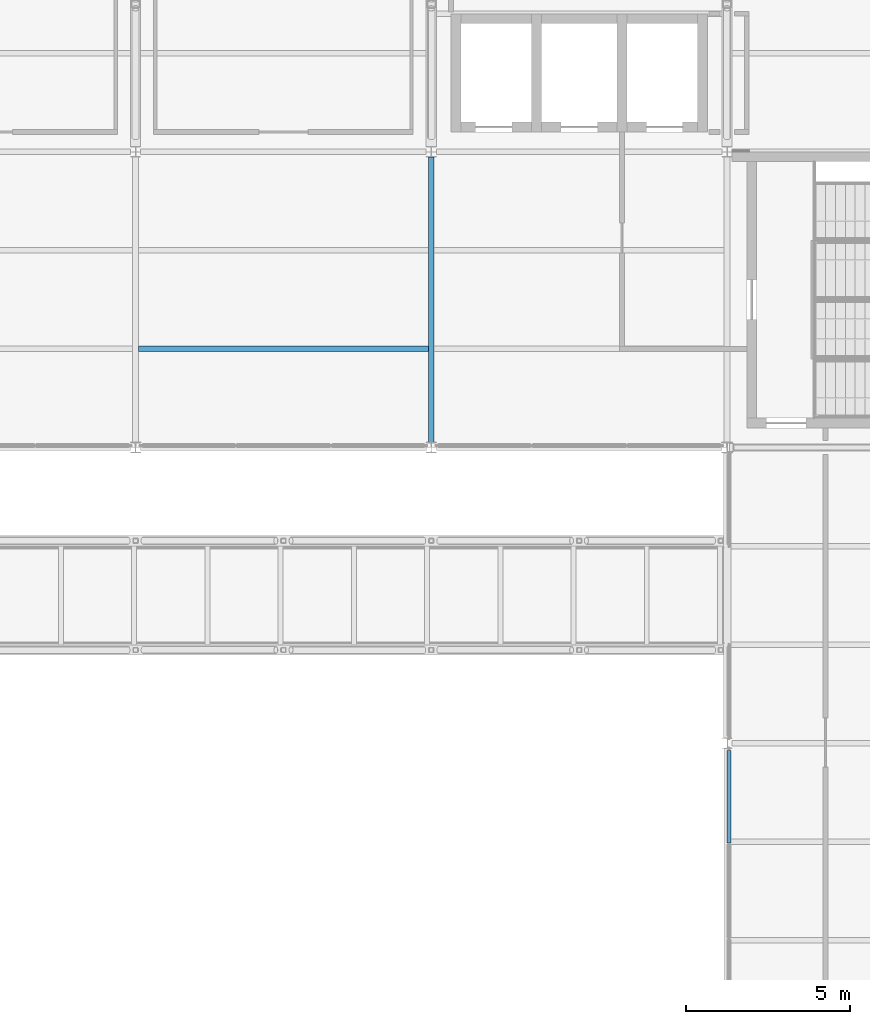
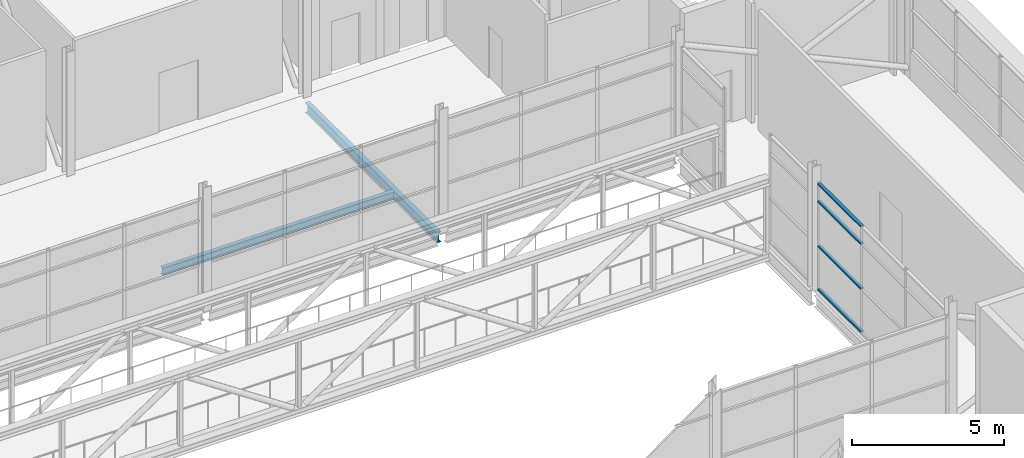
# One storey, part 48 of 94: 4 members, 2 beams, 1 element without a shape of its own.
"""IFC4 building model written with IfcOpenShell, lengths in metres."""

from ifc_helpers import new_model, si_unit, direction, frame, origin, origin_2d, place, context, subcontext, project, spatial, hollow_rectangle, i_section, extrude, material, layer, layer_set, material_profile, profile_set, type_object, element, aggregate, save


model = new_model("IFC4")

# Units and contexts
model_context = context("Model", 3, precision=1e-05, world=origin(), true_north=direction((0.0, 1.0)))
body_context = subcontext(model_context, "Body", "Model", "MODEL_VIEW")
ifc_project = project(units=[si_unit("LENGTHUNIT", "METRE"), si_unit("AREAUNIT", "SQUARE_METRE"), si_unit("VOLUMEUNIT", "CUBIC_METRE"), si_unit("PLANEANGLEUNIT", "RADIAN"), si_unit("MASSUNIT", "GRAM", prefix="KILO")], contexts=[model_context])

# Site, building, storey
site_placement = place(None, origin())
site = spatial("IfcSite", under=ifc_project, at=site_placement, CompositionType="ELEMENT")
building_placement = place(site_placement, origin())
building = spatial("IfcBuilding", under=site, at=building_placement, Name="Shorebreak Coast Museum", CompositionType="ELEMENT")
storey_placement = place(building_placement, frame((0.0, 0.0, 31.0)))
storey = spatial("IfcBuildingStorey", under=building, at=storey_placement, Name="L05", CompositionType="ELEMENT", Elevation=31.0)

# Beams
ifc_material_1 = material(Name="Steel Grade 300", Category="steel")
ifc_material_profile_1 = material_profile(ifc_material_1, i_section(OverallWidth=0.177978515625, OverallDepth=0.406494140625, WebThickness=0.0078125, FlangeThickness=0.0126953125, FilletRadius=0.011474609375, at=origin_2d()), Name="410UB59.7")
ifc_profile_set_1 = profile_set([ifc_material_profile_1], Name="Steel Grade 300")
beam_type_1 = type_object("IfcBeamType", Name="Floor girder north-south 410UB59.7", PredefinedType="BEAM", material=ifc_profile_set_1)
beam_1_placement = place(storey_placement, frame((99.0, 81.1572265625, -0.378173828125), z_axis=(0.0, 1.0, 0.0), x_axis=(-1.0, 0.0, 0.0)))
element("IfcBeam", 1, at=beam_1_placement, inside=storey, type_object=beam_type_1, Name="Floor girder north-south L05 12K", PredefinedType="BEAM", context=body_context, shape_type="SweptSolid", body=[
    extrude(i_section(OverallWidth=0.177978515625, OverallDepth=0.406494140625, WebThickness=0.0078125, FlangeThickness=0.0126953125, FilletRadius=0.011474609375, at=origin_2d()), origin(), (0.0, 0.0, 1.0), 8.67919921875),
])
ifc_material_2 = material(Name="Steel Grade 300", Category="steel")
ifc_material_profile_2 = material_profile(ifc_material_2, i_section(OverallWidth=0.1650390625, OverallDepth=0.303955078125, WebThickness=0.006103515625, FlangeThickness=0.01025390625, FilletRadius=0.011474609375, at=origin_2d()), Name="310UB40.4")
ifc_profile_set_2 = profile_set([ifc_material_profile_2], Name="Steel Grade 300")
beam_type_2 = type_object("IfcBeamType", Name="Floor joist 310UB40.4", PredefinedType="JOIST", material=ifc_profile_set_2)
beam_2_placement = place(storey_placement, frame((90.089111328125, 84.0, -0.326904296875), z_axis=(1.0, 0.0, 0.0), x_axis=(0.0, 1.0, 0.0)))
element("IfcBeam", 2, at=beam_2_placement, inside=storey, type_object=beam_type_2, Name="Floor joist L05 bay 11K at 3000 mm", PredefinedType="JOIST", context=body_context, shape_type="SweptSolid", body=[
    extrude(i_section(OverallWidth=0.1650390625, OverallDepth=0.303955078125, WebThickness=0.006103515625, FlangeThickness=0.01025390625, FilletRadius=0.011474609375, at=origin_2d()), origin(), (0.0, 0.0, 1.0), 8.82177734375),
])

# Curtain wall, members
ifc_material_3 = material(Name="Aluminium", Category="aluminium")
ifc_layer = layer(ifc_material_3, 0.1201171875)
ifc_layer_set = layer_set([ifc_layer], Name="Aluminium")
curtain_wall_type = type_object("IfcCurtainWallType", Name="Atrium fire screen", PredefinedType="NOTDEFINED", material=ifc_layer_set)
curtain_wall_placement = place(storey_placement, origin())
curtain_wall = element("IfcCurtainWall", 3, at=curtain_wall_placement, inside=storey, type_object=curtain_wall_type, Name="Atrium screen L05 E 76", PredefinedType="NOTDEFINED")
ifc_material_4 = material(Name="Aluminium", Category="aluminium")
ifc_material_profile_3 = material_profile(ifc_material_4, hollow_rectangle(XDim=0.1201171875, YDim=0.06005859375, WallThickness=0.00341796875, at=origin_2d()), Name="AL 60x120 RHS")
ifc_profile_set_3 = profile_set([ifc_material_profile_3], Name="Aluminium")
member_type = type_object("IfcMemberType", Name="Screen transom 120 x 50", PredefinedType="USERDEFINED", material=ifc_profile_set_3)
member_1_placement = place(storey_placement, frame((108.06005859375, 68.96826171875, 0.06005859375), z_axis=(0.0, 1.0, 0.0), x_axis=(-1.0, 0.0, 0.0)))
member_1 = element("IfcMember", 4, at=member_1_placement, type_object=member_type, Name="CW5 transom 3.1", ObjectType="TRANSOM", PredefinedType="USERDEFINED", context=body_context, shape_type="SweptSolid", body=[
    extrude(hollow_rectangle(XDim=0.1201171875, YDim=0.06005859375, WallThickness=0.00341796875, at=origin_2d()), origin(), (0.0, 0.0, 1.0), 2.818115234375),
])
member_2_placement = place(storey_placement, frame((108.06005859375, 68.96826171875, 1.800048828125), z_axis=(0.0, 1.0, 0.0), x_axis=(-1.0, 0.0, 0.0)))
member_2 = element("IfcMember", 5, at=member_2_placement, type_object=member_type, Name="CW5 transom 3.2", ObjectType="TRANSOM", PredefinedType="USERDEFINED", context=body_context, shape_type="SweptSolid", body=[
    extrude(hollow_rectangle(XDim=0.1201171875, YDim=0.06005859375, WallThickness=0.00341796875, at=origin_2d()), origin(), (0.0, 0.0, 1.0), 2.818115234375),
])
member_3_placement = place(storey_placement, frame((108.06005859375, 68.96826171875, 3.60009765625), z_axis=(0.0, 1.0, 0.0), x_axis=(-1.0, 0.0, 0.0)))
member_3 = element("IfcMember", 6, at=member_3_placement, type_object=member_type, Name="CW5 transom 3.3", ObjectType="TRANSOM", PredefinedType="USERDEFINED", context=body_context, shape_type="SweptSolid", body=[
    extrude(hollow_rectangle(XDim=0.1201171875, YDim=0.06005859375, WallThickness=0.00341796875, at=origin_2d()), origin(), (0.0, 0.0, 1.0), 2.818115234375),
])
member_4_placement = place(storey_placement, frame((108.06005859375, 68.96826171875, 4.3046875), z_axis=(0.0, 1.0, 0.0), x_axis=(-1.0, 0.0, 0.0)))
member_4 = element("IfcMember", 7, at=member_4_placement, type_object=member_type, Name="CW5 transom 3.4", ObjectType="TRANSOM", PredefinedType="USERDEFINED", context=body_context, shape_type="SweptSolid", body=[
    extrude(hollow_rectangle(XDim=0.1201171875, YDim=0.06005859375, WallThickness=0.00341796875, at=origin_2d()), origin(), (0.0, 0.0, 1.0), 2.818115234375),
])
aggregate(curtain_wall, [member_1, member_2, member_3, member_4])

save(model, "model.ifc")
